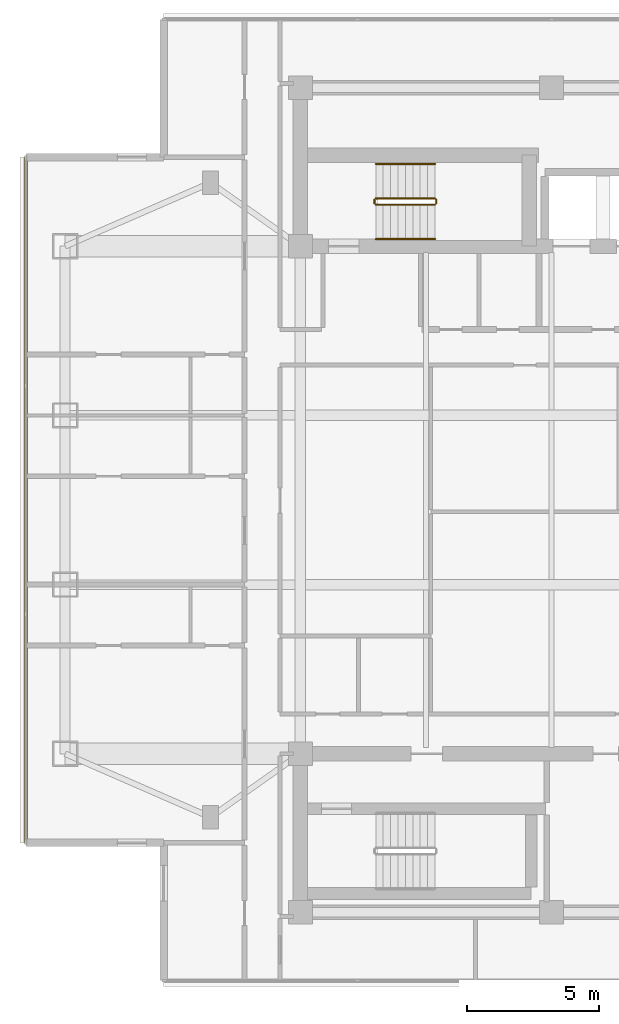
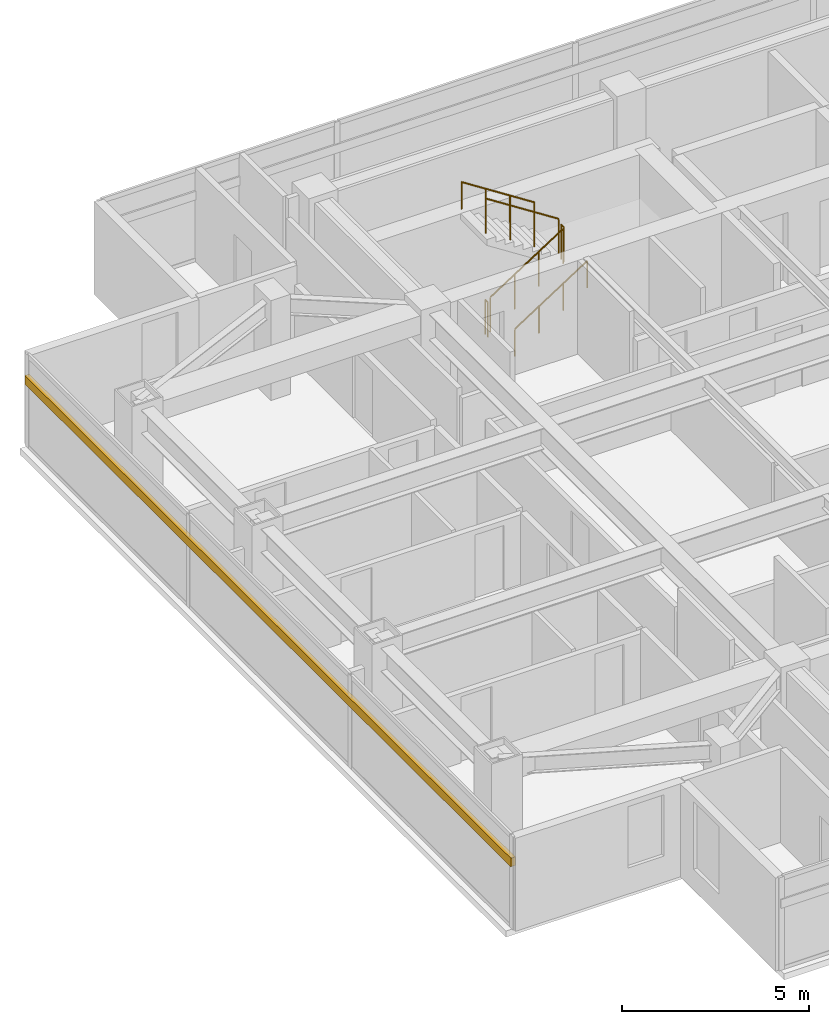
# One storey, part 20 of 24: 6 railings, 1 shading device.
"""IFC4 building model written with IfcOpenShell, lengths in metres."""

from ifc_helpers import new_model, si_unit, direction, frame, origin, origin_2d, place, context, subcontext, project, spatial, rectangle, circle, extrude, material, material_profile, profile_set, type_object, element, save


model = new_model("IFC4")

# Units and contexts
model_context = context("Model", 3, precision=1e-05, world=origin(), true_north=direction((0.0, 1.0)))
body_context = subcontext(model_context, "Body", "Model", "MODEL_VIEW")
ifc_project = project(units=[si_unit("LENGTHUNIT", "METRE"), si_unit("AREAUNIT", "SQUARE_METRE"), si_unit("VOLUMEUNIT", "CUBIC_METRE"), si_unit("PLANEANGLEUNIT", "RADIAN"), si_unit("MASSUNIT", "GRAM", prefix="KILO")], contexts=[model_context])

# Site, building, storey
site_placement = place(None, origin())
site = spatial("IfcSite", under=ifc_project, at=site_placement, CompositionType="ELEMENT")
building_placement = place(site_placement, origin())
building = spatial("IfcBuilding", under=site, at=building_placement, Name="Mirazonda Arch Towers", CompositionType="ELEMENT")
storey_placement = place(building_placement, frame((0.0, 0.0, 190.14990234375)))
storey = spatial("IfcBuildingStorey", under=building, at=storey_placement, Name="L54", CompositionType="ELEMENT", Elevation=190.14990234375)

# Shading device
ifc_material_1 = material(Name="Kiln-Fired Architectural Terracotta", Category="masonry")
ifc_material_profile = material_profile(ifc_material_1, rectangle(XDim=0.139892578125, YDim=0.280029296875, at=origin_2d()), Name="TERRA-BAG-140x280")
ifc_profile_set = profile_set([ifc_material_profile], Name="Kiln-Fired Architectural Terracotta")
shading_device_type = type_object("IfcShadingDeviceType", Name="BAGUETTE-3", PredefinedType="USERDEFINED", material=ifc_profile_set)
shading_device_placement = place(storey_placement, frame((0.610107421875, 40.970947265625, 2.181640625), z_axis=(0.0, -1.0, 0.0), x_axis=(1.0, 0.0, 0.0)))
element("IfcShadingDevice", 1, at=shading_device_placement, inside=storey, type_object=shading_device_type, Name="L54 Glazed Terracotta Sun-Screen Baguette CW-L54-T1-W", ObjectType="BAGUETTE", PredefinedType="USERDEFINED", context=body_context, shape_type="SweptSolid", body=[
    extrude(rectangle(XDim=0.139892578125, YDim=0.280029296875, at=origin_2d()), origin(), (0.0, 0.0, 1.0), 25.94189453125),
])

# Railings
ifc_material_2 = material(Name="Architectural Brushed Steel S355", Category="steel")
railing_type_1 = type_object("IfcRailingType", Name="GUARD-STAIR-1120", PredefinedType="GUARDRAIL", material=ifc_material_2)
railing_1_placement = place(storey_placement, frame((13.85009765625, 39.169921875, 0.1806640625)))
element("IfcRailing", 2, at=railing_1_placement, inside=storey, type_object=railing_type_1, Name="L54 ST-T1N stair guard 1", PredefinedType="GUARDRAIL", context=body_context, shape_type="SweptSolid", body=[
    extrude(circle(Radius=0.02392578125, at=origin_2d()), frame((0.0, 0.0, 1.1259765625), z_axis=(0.840436612492, 0.0, 0.541909863706), x_axis=(0.0, 1.0, 0.0)), (0.0, 0.0, 1.0), 2.665283203125),
    extrude(circle(Radius=0.02099609375, at=origin_2d()), origin(), (0.0, 0.0, 1.0), 1.101806640625),
    extrude(circle(Radius=0.02099609375, at=origin_2d()), frame((0.74658203125, 0.0, 0.4814453125)), (0.0, 0.0, 1.0), 1.101806640625),
    extrude(circle(Radius=0.02099609375, at=origin_2d()), frame((1.493408203125, 0.0, 0.962890625)), (0.0, 0.0, 1.0), 1.101806640625),
    extrude(circle(Radius=0.02099609375, at=origin_2d()), frame((2.239990234375, 0.0, 1.4443359375)), (0.0, 0.0, 1.0), 1.101806640625),
])
railing_2_placement = place(storey_placement, frame((16.139892578125, 39.219970703125, 1.625)))
element("IfcRailing", 3, at=railing_2_placement, inside=storey, type_object=railing_type_1, Name="L54 ST-T1N stair guard 2", PredefinedType="GUARDRAIL", context=body_context, shape_type="SweptSolid", body=[
    extrude(circle(Radius=0.02392578125, at=origin_2d()), frame((0.0, 0.0, 1.1259765625), z_axis=(0.0, 1.0, 0.0), x_axis=(-1.0, 0.0, 0.0)), (0.0, 0.0, 1.0), 0.14013671875),
    extrude(circle(Radius=0.02099609375, at=origin_2d()), origin(), (0.0, 0.0, 1.0), 1.101806640625),
    extrude(circle(Radius=0.02099609375, at=origin_2d()), frame((0.0, 0.14013671875, 0.0)), (0.0, 0.0, 1.0), 1.101806640625),
])
railing_3_placement = place(storey_placement, frame((16.090087890625, 39.409912109375, 1.8056640625)))
element("IfcRailing", 4, at=railing_3_placement, inside=storey, type_object=railing_type_1, Name="L54 ST-T1N stair guard 3", PredefinedType="GUARDRAIL", context=body_context, shape_type="SweptSolid", body=[
    extrude(circle(Radius=0.02392578125, at=origin_2d()), frame((0.0, 0.0, 1.1259765625), z_axis=(-0.840436612492, 0.0, 0.541909863706), x_axis=(0.0, -1.0, 0.0)), (0.0, 0.0, 1.0), 2.665283203125),
    extrude(circle(Radius=0.02099609375, at=origin_2d()), origin(), (0.0, 0.0, 1.0), 1.101806640625),
    extrude(circle(Radius=0.02099609375, at=origin_2d()), frame((-0.74658203125, 0.0, 0.4814453125)), (0.0, 0.0, 1.0), 1.101806640625),
    extrude(circle(Radius=0.02099609375, at=origin_2d()), frame((-1.493408203125, 0.0, 0.962890625)), (0.0, 0.0, 1.0), 1.101806640625),
    extrude(circle(Radius=0.02099609375, at=origin_2d()), frame((-2.239990234375, 0.0, 1.4443359375)), (0.0, 0.0, 1.0), 1.101806640625),
])
railing_4_placement = place(storey_placement, frame((13.800048828125, 39.219970703125, 0.0)))
element("IfcRailing", 5, at=railing_4_placement, inside=storey, type_object=railing_type_1, Name="L54 ST-T1N stair guard 4", PredefinedType="GUARDRAIL", context=body_context, shape_type="SweptSolid", body=[
    extrude(circle(Radius=0.02392578125, at=origin_2d()), frame((0.0, 0.0, 1.1259765625), z_axis=(0.0, 1.0, 0.0), x_axis=(-1.0, 0.0, 0.0)), (0.0, 0.0, 1.0), 0.14013671875),
    extrude(circle(Radius=0.02099609375, at=origin_2d()), origin(), (0.0, 0.0, 1.0), 1.101806640625),
    extrude(circle(Radius=0.02099609375, at=origin_2d()), frame((0.0, 0.14013671875, 0.0)), (0.0, 0.0, 1.0), 1.101806640625),
])
railing_type_2 = type_object("IfcRailingType", Name="HANDRAIL-915", PredefinedType="HANDRAIL", material=ifc_material_2)
railing_5_placement = place(storey_placement, frame((13.85009765625, 37.8701171875, 0.1806640625)))
element("IfcRailing", 6, at=railing_5_placement, inside=storey, type_object=railing_type_2, Name="L54 ST-T1N stair handrail 1", PredefinedType="HANDRAIL", context=body_context, shape_type="SweptSolid", body=[
    extrude(circle(Radius=0.02392578125, at=origin_2d()), frame((0.0, 0.0, 0.8759765625), z_axis=(0.840436612492, 0.0, 0.541909863706), x_axis=(0.0, 1.0, 0.0)), (0.0, 0.0, 1.0), 2.665283203125),
    extrude(circle(Radius=0.02099609375, at=origin_2d()), origin(), (0.0, 0.0, 1.0), 0.851806640625),
    extrude(circle(Radius=0.02099609375, at=origin_2d()), frame((0.74658203125, 0.0, 0.4814453125)), (0.0, 0.0, 1.0), 0.851806640625),
    extrude(circle(Radius=0.02099609375, at=origin_2d()), frame((1.493408203125, 0.0, 0.962890625)), (0.0, 0.0, 1.0), 0.851806640625),
    extrude(circle(Radius=0.02099609375, at=origin_2d()), frame((2.239990234375, 0.0, 1.4443359375)), (0.0, 0.0, 1.0), 0.851806640625),
])
railing_6_placement = place(storey_placement, frame((16.090087890625, 40.7099609375, 1.8056640625)))
element("IfcRailing", 7, at=railing_6_placement, inside=storey, type_object=railing_type_2, Name="L54 ST-T1N stair handrail 2", PredefinedType="HANDRAIL", context=body_context, shape_type="SweptSolid", body=[
    extrude(circle(Radius=0.02392578125, at=origin_2d()), frame((0.0, 0.0, 0.8759765625), z_axis=(-0.840436612492, 0.0, 0.541909863706), x_axis=(0.0, -1.0, 0.0)), (0.0, 0.0, 1.0), 2.665283203125),
    extrude(circle(Radius=0.02099609375, at=origin_2d()), origin(), (0.0, 0.0, 1.0), 0.851806640625),
    extrude(circle(Radius=0.02099609375, at=origin_2d()), frame((-0.74658203125, 0.0, 0.4814453125)), (0.0, 0.0, 1.0), 0.851806640625),
    extrude(circle(Radius=0.02099609375, at=origin_2d()), frame((-1.493408203125, 0.0, 0.962890625)), (0.0, 0.0, 1.0), 0.851806640625),
    extrude(circle(Radius=0.02099609375, at=origin_2d()), frame((-2.239990234375, 0.0, 1.4443359375)), (0.0, 0.0, 1.0), 0.851806640625),
])

save(model, "model.ifc")
